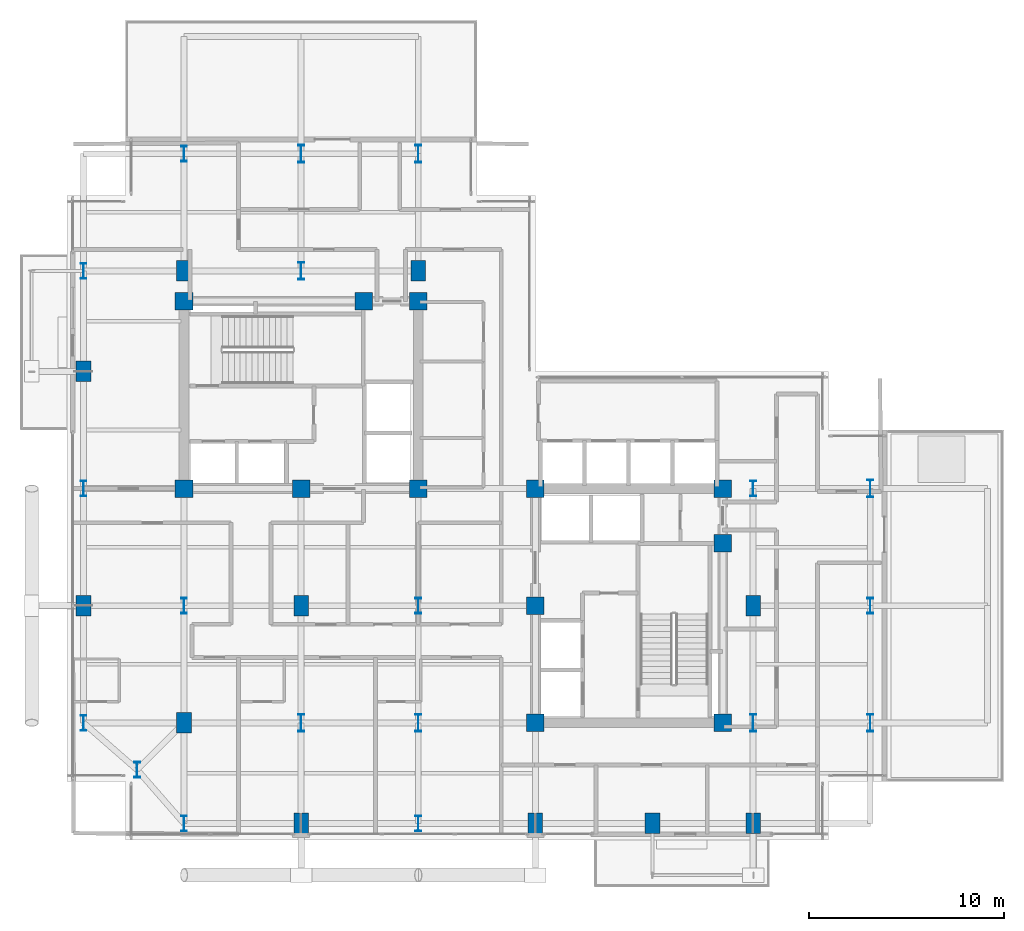
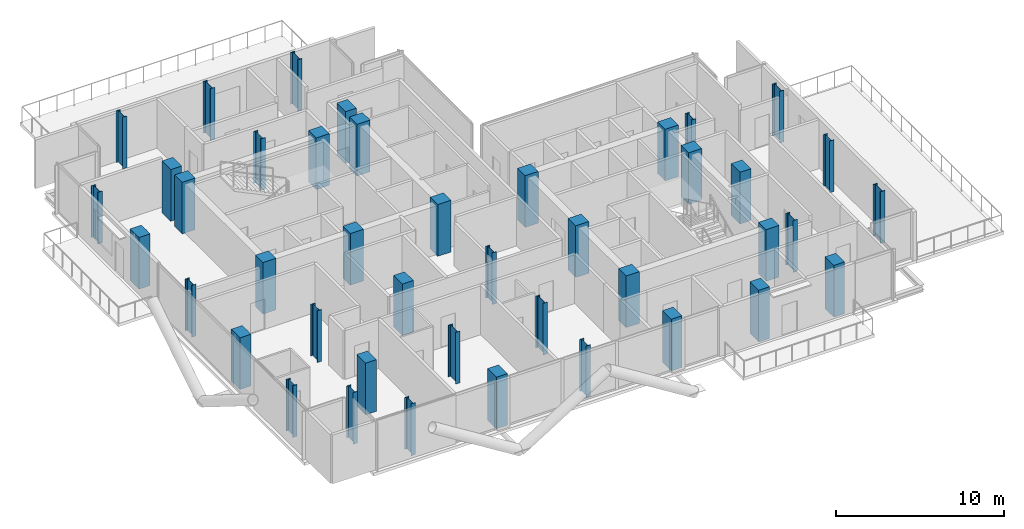
# One storey, part 1 of 28: 42 columns.
"""IFC4 building model written with IfcOpenShell, lengths in metres."""

from ifc_helpers import new_model, si_unit, direction, frame, origin, origin_2d, place, context, subcontext, project, spatial, rectangle, i_section, extrude, material, material_profile, profile_set, type_object, element, save


model = new_model("IFC4")

# Units and contexts
model_context = context("Model", 3, precision=1e-05, world=origin(), true_north=direction((0.0, 1.0)))
body_context = subcontext(model_context, "Body", "Model", "MODEL_VIEW")
ifc_project = project(units=[si_unit("LENGTHUNIT", "METRE"), si_unit("AREAUNIT", "SQUARE_METRE"), si_unit("VOLUMEUNIT", "CUBIC_METRE"), si_unit("PLANEANGLEUNIT", "RADIAN"), si_unit("MASSUNIT", "GRAM", prefix="KILO"), si_unit("THERMODYNAMICTEMPERATUREUNIT", "KELVIN"), si_unit("POWERUNIT", "WATT")], contexts=[model_context])

# Site, building, storey
site_placement = place(None, origin())
site = spatial("IfcSite", under=ifc_project, at=site_placement, CompositionType="ELEMENT")
building_placement = place(site_placement, origin())
building = spatial("IfcBuilding", under=site, at=building_placement, Name="Svarakhadi Broadcast Tower", CompositionType="ELEMENT")
storey_placement = place(building_placement, frame((0.0, 0.0, 169.199951171875)))
storey = spatial("IfcBuildingStorey", under=building, at=storey_placement, Name="L41", CompositionType="ELEMENT", Elevation=169.199951171875)

# Columns
ifc_material_1 = material(Name="Concrete C50/60 (IS 456 M60)", Category="concrete")
ifc_material_profile_1 = material_profile(ifc_material_1, rectangle(XDim=0.75, YDim=1.050048828125, at=origin_2d()), Name="RC 750x1050")
ifc_profile_set_1 = profile_set([ifc_material_profile_1], Name="Concrete C50/60 (IS 456 M60)")
column_type_1 = type_object("IfcColumnType", Name="Col_RC750", PredefinedType="COLUMN", material=ifc_profile_set_1)
for number, where, z_axis, x_axis, name in (
    (1, (0.85009765625, 12.0, 0.0), (0.0, 0.0, 1.0), (1.0, 0.0, 0.0), "L41 Column G04"),
    (2, (0.85009765625, 24.0, 0.0), (0.0, 0.0, 1.0), (1.0, 0.0, 0.0), "L41 Column G06"),
    (3, (6.0, 6.0, 0.0), (0.0, 0.0, 1.0), (1.0, 0.0, 0.0), "L41 Column G12"),
    (4, (6.0, 29.14990234375, 0.0), (0.0, 0.0, 1.0), (1.0, 0.0, 0.0), "L41 Column G14"),
    (5, (12.0, 0.85009765625, 0.0), (0.0, 0.0, 1.0), (1.0, 0.0, 0.0), "L41 Column G18"),
    (6, (12.0, 12.0, 0.0), (0.0, 0.0, 1.0), (1.0, 0.0, 0.0), "L41 Column G20"),
    (7, (18.0, 29.14990234375, 0.0), (0.0, 0.0, 1.0), (1.0, 0.0, 0.0), "L41 Column G28"),
    (8, (24.0, 0.85009765625, 0.0), (0.0, 0.0, 1.0), (1.0, 0.0, 0.0), "L41 Column G32"),
    (9, (30.0, 0.85009765625, 0.0), (0.0, 0.0, 1.0), (1.0, 0.0, 0.0), "L41 Column G36"),
    (10, (35.14990234375, 0.85009765625, 0.0), (0.0, 0.0, 1.0), (1.0, 0.0, 0.0), "L41 Column G38"),
    (11, (35.14990234375, 12.0, 0.0), (0.0, 0.0, 1.0), (1.0, 0.0, 0.0), "L41 Column G40"),
):
    element("IfcColumn", number, at=place(storey_placement, frame(where, z_axis=z_axis, x_axis=x_axis)), inside=storey, type_object=column_type_1, Name=name, PredefinedType="COLUMN", context=body_context, shape_type="SweptSolid", body=[
        extrude(rectangle(XDim=0.75, YDim=1.050048828125, at=origin_2d()), origin(), (0.0, 0.0, 1.0), 3.75),
    ])
ifc_material_profile_2 = material_profile(ifc_material_1, rectangle(XDim=0.89990234375, YDim=0.89990234375, at=origin_2d()), Name="RC 900x900")
ifc_profile_set_2 = profile_set([ifc_material_profile_2], Name="Concrete C50/60 (IS 456 M60)")
column_type_2 = type_object("IfcColumnType", Name="Col_RC900", PredefinedType="COLUMN", material=ifc_profile_set_2)
for number, where, z_axis, x_axis, name in (
    (12, (6.0, 18.0, 0.0), (0.0, 0.0, 1.0), (1.0, 0.0, 0.0), "L41 Column CW1"),
    (13, (12.0, 18.0, 0.0), (0.0, 0.0, 1.0), (1.0, 0.0, 0.0), "L41 Column CW2"),
    (14, (18.0, 18.0, 0.0), (0.0, 0.0, 1.0), (1.0, 0.0, 0.0), "L41 Column CW3"),
    (15, (6.0, 27.60009765625, 0.0), (0.0, 0.0, 1.0), (1.0, 0.0, 0.0), "L41 Column CW4"),
    (16, (15.199951171875, 27.60009765625, 0.0), (0.0, 0.0, 1.0), (1.0, 0.0, 0.0), "L41 Column CW5"),
    (17, (18.0, 27.60009765625, 0.0), (0.0, 0.0, 1.0), (1.0, 0.0, 0.0), "L41 Column CW6"),
    (18, (24.0, 6.0, 0.0), (0.0, 0.0, 1.0), (1.0, 0.0, 0.0), "L41 Column CE1"),
    (19, (24.0, 12.0, 0.0), (0.0, 0.0, 1.0), (1.0, 0.0, 0.0), "L41 Column CE2"),
    (20, (24.0, 18.0, 0.0), (0.0, 0.0, 1.0), (1.0, 0.0, 0.0), "L41 Column CE3"),
    (21, (33.60009765625, 6.0, 0.0), (0.0, 0.0, 1.0), (1.0, 0.0, 0.0), "L41 Column CE4"),
    (22, (33.60009765625, 15.199951171875, 0.0), (0.0, 0.0, 1.0), (1.0, 0.0, 0.0), "L41 Column CE5"),
    (23, (33.60009765625, 18.0, 0.0), (0.0, 0.0, 1.0), (1.0, 0.0, 0.0), "L41 Column CE6"),
):
    element("IfcColumn", number, at=place(storey_placement, frame(where, z_axis=z_axis, x_axis=x_axis)), inside=storey, type_object=column_type_2, Name=name, PredefinedType="COLUMN", context=body_context, shape_type="SweptSolid", body=[
        extrude(rectangle(XDim=0.89990234375, YDim=0.89990234375, at=origin_2d()), origin(), (0.0, 0.0, 1.0), 3.75),
    ])
ifc_material_2 = material(Name="Steel S460ML (IS 2062 E450BR)", Category="steel")
ifc_material_profile_3 = material_profile(ifc_material_2, i_section(OverallWidth=0.300048828125, OverallDepth=0.800048828125, WebThickness=0.017578125, FlangeThickness=0.032958984375, FilletRadius=0.030029296875, at=origin_2d()), Name="WPB 800x300x262")
ifc_profile_set_3 = profile_set([ifc_material_profile_3], Name="Steel S460ML (IS 2062 E450BR)")
column_type_3 = type_object("IfcColumnType", Name="Col_WPB800", PredefinedType="COLUMN", material=ifc_profile_set_3)
for number, where, z_axis, x_axis, name in (
    (24, (3.60009765625, 3.60009765625, 0.0), (0.0, 0.0, 1.0), (1.0, 0.0, 0.0), "L41 Column G01"),
    (25, (0.85009765625, 6.0, 0.0), (0.0, 0.0, 1.0), (1.0, 0.0, 0.0), "L41 Column G03"),
    (26, (0.85009765625, 18.0, 0.0), (0.0, 0.0, 1.0), (1.0, 0.0, 0.0), "L41 Column G05"),
    (27, (0.85009765625, 29.14990234375, 0.0), (0.0, 0.0, 1.0), (1.0, 0.0, 0.0), "L41 Column G07"),
    (28, (6.0, 0.85009765625, 0.0), (0.0, 0.0, 1.0), (1.0, 0.0, 0.0), "L41 Column G11"),
    (29, (6.0, 12.0, 0.0), (0.0, 0.0, 1.0), (1.0, 0.0, 0.0), "L41 Column G13"),
    (30, (6.0, 35.14990234375, 0.0), (0.0, 0.0, 1.0), (1.0, 0.0, 0.0), "L41 Column G15"),
    (31, (18.0, 0.85009765625, 0.0), (0.0, 0.0, 1.0), (1.0, 0.0, 0.0), "L41 Column G25"),
    (32, (18.0, 12.0, 0.0), (0.0, 0.0, 1.0), (1.0, 0.0, 0.0), "L41 Column G27"),
    (33, (35.14990234375, 18.0, 0.0), (0.0, 0.0, 1.0), (1.0, 0.0, 0.0), "L41 Column G41"),
    (34, (41.14990234375, 12.0, 0.0), (0.0, 0.0, 1.0), (1.0, 0.0, 0.0), "L41 Column G45"),
):
    element("IfcColumn", number, at=place(storey_placement, frame(where, z_axis=z_axis, x_axis=x_axis)), inside=storey, type_object=column_type_3, Name=name, PredefinedType="COLUMN", context=body_context, shape_type="SweptSolid", body=[
        extrude(i_section(OverallWidth=0.300048828125, OverallDepth=0.800048828125, WebThickness=0.017578125, FlangeThickness=0.032958984375, FilletRadius=0.030029296875, at=origin_2d()), origin(), (0.0, 0.0, 1.0), 3.75),
    ])
ifc_material_profile_4 = material_profile(ifc_material_2, i_section(OverallWidth=0.300048828125, OverallDepth=0.89990234375, WebThickness=0.0185546875, FlangeThickness=0.034912109375, FilletRadius=0.030029296875, at=origin_2d()), Name="WPB 900x300x291")
ifc_profile_set_4 = profile_set([ifc_material_profile_4], Name="Steel S460ML (IS 2062 E450BR)")
column_type_4 = type_object("IfcColumnType", Name="Col_WPB900", PredefinedType="COLUMN", material=ifc_profile_set_4)
for number, where, z_axis, x_axis, name in (
    (35, (12.0, 6.0, 0.0), (0.0, 0.0, 1.0), (1.0, 0.0, 0.0), "L41 Column G19"),
    (36, (12.0, 29.14990234375, 0.0), (0.0, 0.0, 1.0), (1.0, 0.0, 0.0), "L41 Column G21"),
    (37, (12.0, 35.14990234375, 0.0), (0.0, 0.0, 1.0), (1.0, 0.0, 0.0), "L41 Column G22"),
    (38, (18.0, 6.0, 0.0), (0.0, 0.0, 1.0), (1.0, 0.0, 0.0), "L41 Column G26"),
    (39, (18.0, 35.14990234375, 0.0), (0.0, 0.0, 1.0), (1.0, 0.0, 0.0), "L41 Column G29"),
    (40, (35.14990234375, 6.0, 0.0), (0.0, 0.0, 1.0), (1.0, 0.0, 0.0), "L41 Column G39"),
    (41, (41.14990234375, 6.0, 0.0), (0.0, 0.0, 1.0), (1.0, 0.0, 0.0), "L41 Column G44"),
    (42, (41.14990234375, 18.0, 0.0), (0.0, 0.0, 1.0), (1.0, 0.0, 0.0), "L41 Column G46"),
):
    element("IfcColumn", number, at=place(storey_placement, frame(where, z_axis=z_axis, x_axis=x_axis)), inside=storey, type_object=column_type_4, Name=name, PredefinedType="COLUMN", context=body_context, shape_type="SweptSolid", body=[
        extrude(i_section(OverallWidth=0.300048828125, OverallDepth=0.89990234375, WebThickness=0.0185546875, FlangeThickness=0.034912109375, FilletRadius=0.030029296875, at=origin_2d()), origin(), (0.0, 0.0, 1.0), 3.75),
    ])

save(model, "model.ifc")
